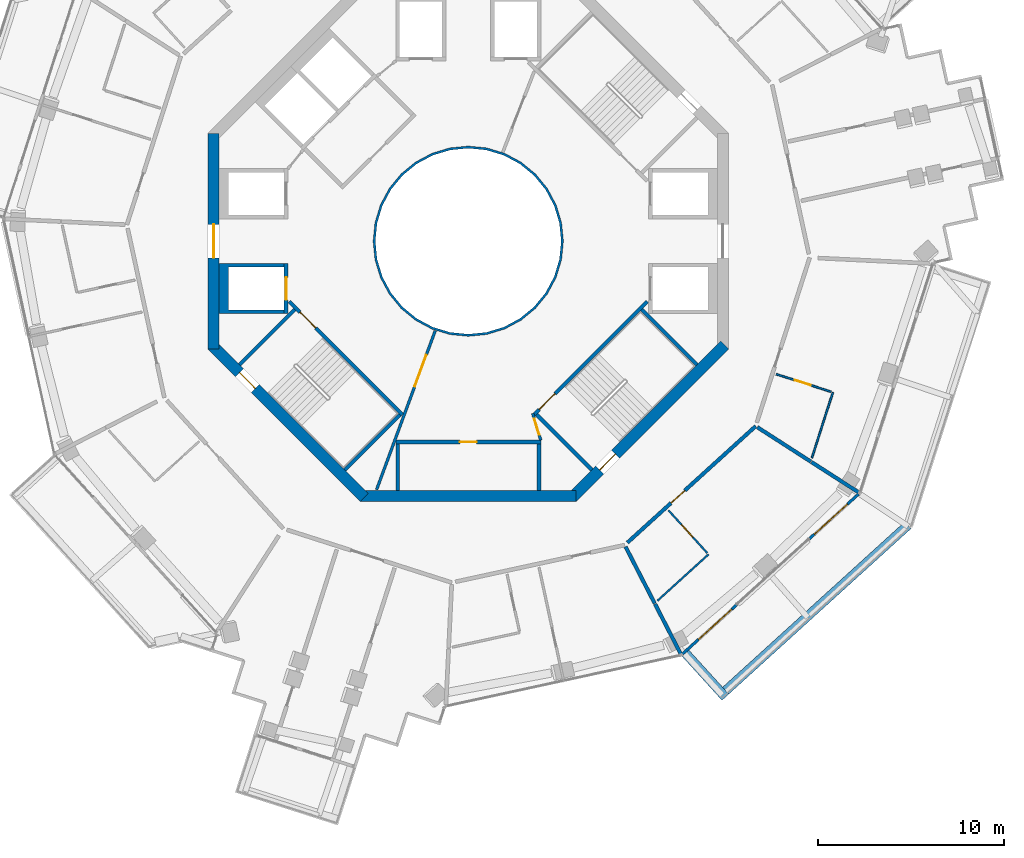
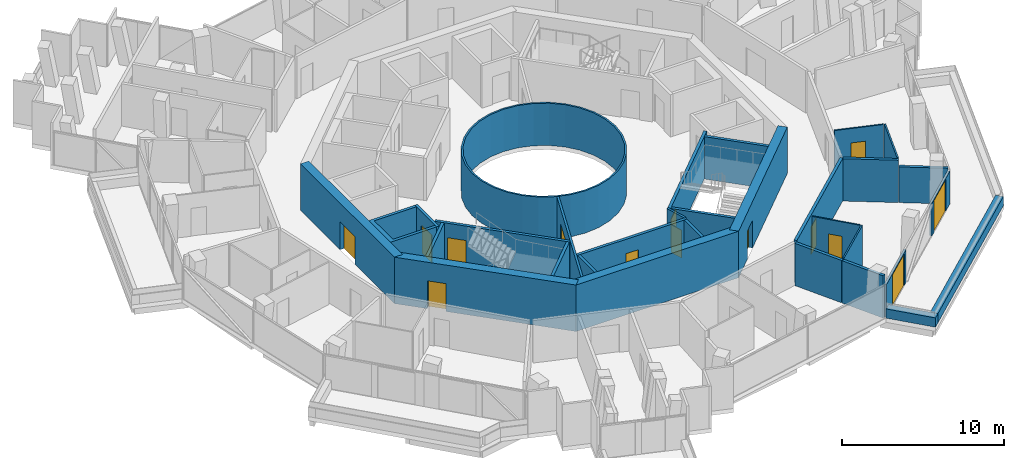
# One storey, part 16 of 23: 31 walls, 14 doors, 14 openings.
"""IFC4 building model written with IfcOpenShell, lengths in metres."""

from ifc_helpers import new_model, si_unit, direction, frame, frame_2d, origin, place, context, subcontext, project, spatial, polyline, rectangle, outline, extrude, material, layer, layer_set, type_object, element, fill, save


model = new_model("IFC4")

# Units and contexts
model_context = context("Model", 3, precision=1e-05, world=origin(), true_north=direction((0.0, 1.0)))
body_context = subcontext(model_context, "Body", "Model", "MODEL_VIEW")
ifc_project = project(units=[si_unit("LENGTHUNIT", "METRE"), si_unit("AREAUNIT", "SQUARE_METRE"), si_unit("VOLUMEUNIT", "CUBIC_METRE"), si_unit("PLANEANGLEUNIT", "RADIAN"), si_unit("MASSUNIT", "GRAM", prefix="KILO")], contexts=[model_context])

# Site, building, storey
site_placement = place(None, origin())
site = spatial("IfcSite", under=ifc_project, at=site_placement, CompositionType="ELEMENT")
building_placement = place(site_placement, origin())
building = spatial("IfcBuilding", under=site, at=building_placement, Name="Verdalira Terraces Hotel", CompositionType="ELEMENT")
storey_placement = place(building_placement, frame((0.0, 0.0, 205.5)))
storey = spatial("IfcBuildingStorey", under=building, at=storey_placement, Name="L50", CompositionType="ELEMENT", Elevation=205.5)

# Walls
ifc_material_1 = material(Name="Fire-resisting glass EI 180", Category="glass")
ifc_layer_1 = layer(ifc_material_1, 0.1201171875)
ifc_layer_set_1 = layer_set([ifc_layer_1], Name="Atrium fire screen 120 mm")
wall_type_1 = type_object("IfcWallType", Name="Atrium fire screen 120 mm", PredefinedType="SOLIDWALL", material=ifc_layer_set_1)
wall_1_placement = place(storey_placement, origin())
element("IfcWall", 1, at=wall_1_placement, inside=storey, type_object=wall_type_1, Name="Atrium fire screen", PredefinedType="SOLIDWALL", context=body_context, shape_type="SweptSolid", body=[
    extrude(outline(polyline([(5.021484, -0.998779), (4.730225, -1.959229), (4.25708, -2.844482), (3.620361, -3.620361), (2.844482, -4.25708), (1.959229, -4.730225), (0.998779, -5.021484), (0.0, -5.120117), (-0.998779, -5.021484), (-1.959229, -4.730225), (-2.844482, -4.25708), (-3.620361, -3.620361), (-4.25708, -2.844482), (-4.730225, -1.959229), (-5.021484, -0.998779), (-5.120117, 0.0), (-5.021484, 0.998779), (-4.730225, 1.959229), (-4.25708, 2.844482), (-3.620361, 3.620361), (-2.844482, 4.25708), (-1.959229, 4.730225), (-0.998779, 5.021484), (0.0, 5.120117), (0.998779, 5.021484), (1.959229, 4.730225), (2.844482, 4.25708), (3.620361, 3.620361), (4.25708, 2.844482), (4.730225, 1.959229), (5.021484, 0.998779), (5.120117, 0.0), (5.021484, -0.998779)]), holes=[polyline([(4.903809, 0.975586), (4.619385, 1.91333), (4.157227, 2.777832), (3.5354, 3.5354), (2.777832, 4.157227), (1.91333, 4.619385), (0.975586, 4.903809), (0.0, 5.0), (-0.975586, 4.903809), (-1.91333, 4.619385), (-2.777832, 4.157227), (-3.5354, 3.5354), (-4.157227, 2.777832), (-4.619385, 1.91333), (-4.903809, 0.975586), (-5.0, 0.0), (-4.903809, -0.975586), (-4.619385, -1.91333), (-4.157227, -2.777832), (-3.5354, -3.5354), (-2.777832, -4.157227), (-1.91333, -4.619385), (-0.975586, -4.903809), (0.0, -5.0), (0.975586, -4.903809), (1.91333, -4.619385), (2.777832, -4.157227), (3.5354, -3.5354), (4.157227, -2.777832), (4.619385, -1.91333), (4.903809, -0.975586), (5.0, 0.0), (4.903809, 0.975586)])]), origin(), (0.0, 0.0, 1.0), 3.189941),
])
ifc_material_2 = material(Name="Concrete C40", Category="concrete")
ifc_layer_2 = layer(ifc_material_2, 0.5)
ifc_layer_set_2 = layer_set([ifc_layer_2], Name="Balcony planter trough with tree")
wall_type_2 = type_object("IfcWallType", Name="Balcony planter trough with tree", PredefinedType="SOLIDWALL", material=ifc_layer_set_2)
wall_2_placement = place(storey_placement, frame((11.680908, -22.161621, 0.0), z_axis=(0.0, 0.0, 1.0), x_axis=(0.672289039, -0.74028876, 0.0)))
element("IfcWall", 2, at=wall_2_placement, inside=storey, type_object=wall_type_2, Name="Balcony planter", PredefinedType="SOLIDWALL", context=body_context, shape_type="SweptSolid", body=[
    extrude(rectangle(XDim=3.198975, YDim=0.5, at=frame_2d((1.599609, 0.0))), origin(), (0.0, 0.0, 1.0), 0.699951),
])
wall_3_placement = place(storey_placement, frame((13.848389, -24.176758, 0.0), z_axis=(0.0, 0.0, 1.0), x_axis=(0.740331756, 0.672241691, 0.0)))
element("IfcWall", 3, at=wall_3_placement, inside=storey, type_object=wall_type_2, Name="Balcony planter", PredefinedType="SOLIDWALL", context=body_context, shape_type="SweptSolid", body=[
    extrude(rectangle(XDim=13.223633, YDim=0.5, at=frame_2d((6.611816, 0.0))), origin(), (0.0, 0.0, 1.0), 0.699951),
])
ifc_material_3 = material(Name="Moisture-resistant gypsum board partition")
ifc_layer_3 = layer(ifc_material_3, 0.10009765625)
ifc_layer_set_3 = layer_set([ifc_layer_3], Name="Bathroom partition 100 mm")
wall_type_3 = type_object("IfcWallType", Name="Bathroom partition 100 mm", PredefinedType="PARTITIONING", material=ifc_layer_set_3)
wall_4_placement = place(storey_placement, frame((12.921631, -16.846191, 0.0), z_axis=(0.0, 0.0, 1.0), x_axis=(-0.740330652, -0.672242906, 0.0)))
element("IfcWall", 4, at=wall_4_placement, inside=storey, type_object=wall_type_3, Name="Bathroom partition", PredefinedType="PARTITIONING", context=body_context, shape_type="SweptSolid", body=[
    extrude(rectangle(XDim=3.704102, YDim=0.100098, at=frame_2d((1.852051, 0.0))), origin(), (0.0, 0.0, 1.0), 3.189941),
])

# Wall, opening, door
wall_5_placement = place(storey_placement, frame((12.854492, -16.772217, 0.0), z_axis=(0.0, 0.0, 1.0), x_axis=(-0.672265011, 0.74031058, 0.0)))
wall_5 = element("IfcWall", 5, at=wall_5_placement, inside=storey, type_object=wall_type_3, Name="Bathroom partition", PredefinedType="PARTITIONING", context=body_context, shape_type="SweptSolid", body=[
    extrude(rectangle(XDim=3.099854, YDim=0.100098, at=frame_2d((1.549805, 0.0))), origin(), (0.0, 0.0, 1.0), 3.189941),
])
opening_1_placement = place(wall_5_placement, frame((1.149902, 0.0, 0.0)))
opening_1 = element("IfcOpeningElement", 6, at=opening_1_placement, cuts=wall_5, Name="Opening L50-120", PredefinedType="OPENING", context=body_context, shape_type="SweptSolid", body=[
    extrude(rectangle(XDim=0.899902, YDim=2.100098, at=frame_2d((0.449951, 1.050049))), frame((0.0, 0.060059, 0.0), z_axis=(0.0, -1.0, 0.0), x_axis=(1.0, 0.0, 0.0)), (0.0, 0.0, 1.0), 0.120117),
])
ifc_material_4 = material(Name="Timber door", Category="wood")
door_type_1 = type_object("IfcDoorType", Name="Bathroom door 900 x 2100", OperationType="NOTDEFINED", PredefinedType="DOOR", material=ifc_material_4)
door_1_placement = place(opening_1_placement, origin())
door_1 = element("IfcDoor", 7, at=door_1_placement, inside=storey, type_object=door_type_1, Name="Bathroom door 5008", OperationType="SINGLE_SWING_LEFT", OverallHeight=2.10009765625, OverallWidth=0.89990234375, PredefinedType="DOOR", context=body_context, shape_type="SweptSolid", body=[
    extrude(rectangle(XDim=0.899902, YDim=2.100098, at=frame_2d((0.449951, 1.050049))), frame((0.0, 0.024902, 0.0), z_axis=(0.0, -1.0, 0.0), x_axis=(1.0, 0.0, 0.0)), (0.0, 0.0, 1.0), 0.050049),
])
fill(opening_1, door_1)

wall_6_placement = place(storey_placement, frame((19.518311, -8.0979, 0.0), z_axis=(0.0, 0.0, 1.0), x_axis=(-0.952342726, 0.305030051, 0.0)))
wall_6 = element("IfcWall", 8, at=wall_6_placement, inside=storey, type_object=wall_type_3, Name="Bathroom partition", PredefinedType="PARTITIONING", context=body_context, shape_type="SweptSolid", body=[
    extrude(rectangle(XDim=3.099854, YDim=0.100098, at=frame_2d((1.549805, 0.0))), origin(), (0.0, 0.0, 1.0), 3.189941),
])
opening_2_placement = place(wall_6_placement, frame((1.149902, 0.0, 0.0)))
opening_2 = element("IfcOpeningElement", 9, at=opening_2_placement, cuts=wall_6, Name="Opening L50-122", PredefinedType="OPENING", context=body_context, shape_type="SweptSolid", body=[
    extrude(rectangle(XDim=0.899902, YDim=2.100098, at=frame_2d((0.449951, 1.050049))), frame((0.0, 0.060059, 0.0), z_axis=(0.0, -1.0, 0.0), x_axis=(1.0, 0.0, 0.0)), (0.0, 0.0, 1.0), 0.120117),
])
door_2_placement = place(opening_2_placement, origin())
door_2 = element("IfcDoor", 10, at=door_2_placement, inside=storey, type_object=door_type_1, Name="Bathroom door 5009", OperationType="SINGLE_SWING_LEFT", OverallHeight=2.10009765625, OverallWidth=0.89990234375, PredefinedType="DOOR", context=body_context, shape_type="SweptSolid", body=[
    extrude(rectangle(XDim=0.899902, YDim=2.100098, at=frame_2d((0.449951, 1.050049))), frame((0.0, 0.024902, 0.0), z_axis=(0.0, -1.0, 0.0), x_axis=(1.0, 0.0, 0.0)), (0.0, 0.0, 1.0), 0.050049),
])
fill(opening_2, door_2)

# Walls
wall_7_placement = place(storey_placement, frame((19.613525, -8.128418, 0.0), z_axis=(0.0, 0.0, 1.0), x_axis=(-0.304974221, -0.952360606, 0.0)))
element("IfcWall", 11, at=wall_7_placement, inside=storey, type_object=wall_type_3, Name="Bathroom partition", PredefinedType="PARTITIONING", context=body_context, shape_type="SweptSolid", body=[
    extrude(rectangle(XDim=3.704102, YDim=0.100098, at=frame_2d((1.852051, 0.0))), origin(), (0.0, 0.0, 1.0), 3.189941),
])
ifc_material_5 = material(Name="Concrete C50", Category="concrete")
ifc_layer_4 = layer(ifc_material_5, 0.199951171875)
ifc_layer_set_4 = layer_set([ifc_layer_4], Name="Core RC wall 200 C50")
wall_type_4 = type_object("IfcWallType", Name="Core RC wall 200 C50", PredefinedType="SOLIDWALL", material=ifc_layer_set_4)
wall_8_placement = place(storey_placement, origin())
element("IfcWall", 12, at=wall_8_placement, inside=storey, type_object=wall_type_4, Name="L50 shaft wall W2", PredefinedType="SOLIDWALL", context=body_context, shape_type="SweptSolid", body=[
    extrude(outline(polyline([(-13.399902, -3.899902), (-13.399902, -1.199951), (-9.899902, -1.199951), (-9.899902, -1.399902), (-12.899902, -1.399902), (-12.899902, -3.699951), (-9.899902, -3.699951), (-9.899902, -3.899902), (-13.399902, -3.899902)])), origin(), (0.0, 0.0, 1.0), 3.189941),
])

# Wall, opening, door
wall_9_placement = place(storey_placement, frame((-9.800049, -1.199951, 0.0), z_axis=(0.0, 0.0, 1.0), x_axis=(0.0, -1.0, 0.0)))
wall_9 = element("IfcWall", 13, at=wall_9_placement, inside=storey, type_object=wall_type_4, Name="L50 shaft front wall W2", PredefinedType="SOLIDWALL", context=body_context, shape_type="SweptSolid", body=[
    extrude(rectangle(XDim=2.699951, YDim=0.199951, at=frame_2d((1.350098, 0.0))), origin(), (0.0, 0.0, 1.0), 3.189941),
])
opening_3_placement = place(wall_9_placement, frame((0.75, 0.0, 0.0)))
opening_3 = element("IfcOpeningElement", 14, at=opening_3_placement, cuts=wall_9, Name="Opening LD-L50-807", PredefinedType="OPENING", context=body_context, shape_type="SweptSolid", body=[
    extrude(rectangle(XDim=1.199951, YDim=2.100098, at=frame_2d((0.600098, 1.050049))), frame((0.0, 0.109863, 0.0), z_axis=(0.0, -1.0, 0.0), x_axis=(1.0, 0.0, 0.0)), (0.0, 0.0, 1.0), 0.219971),
])
ifc_material_6 = material(Name="Stainless steel", Category="steel")
door_type_2 = type_object("IfcDoorType", Name="Landing door 1200 x 2100", OperationType="NOTDEFINED", PredefinedType="DOOR", material=ifc_material_6)
door_3_placement = place(opening_3_placement, origin())
door_3 = element("IfcDoor", 15, at=door_3_placement, inside=storey, type_object=door_type_2, Name="Lift landing door HR6 L50", OperationType="DOUBLE_DOOR_SLIDING", OverallHeight=2.10009765625, OverallWidth=1.199951171875, PredefinedType="DOOR", context=body_context, shape_type="SweptSolid", body=[
    extrude(rectangle(XDim=1.199951, YDim=2.100098, at=frame_2d((0.600098, 1.050049))), frame((0.0, 0.024902, 0.0), z_axis=(0.0, -1.0, 0.0), x_axis=(1.0, 0.0, 0.0)), (0.0, 0.0, 1.0), 0.050049),
])
fill(opening_3, door_3)

wall_10_placement = place(storey_placement, frame((-3.899902, -10.800049, 0.0), z_axis=(0.0, 0.0, 1.0), x_axis=(1.0, 0.0, 0.0)))
wall_10 = element("IfcWall", 16, at=wall_10_placement, inside=storey, type_object=wall_type_4, Name="L50 store front wall", PredefinedType="SOLIDWALL", context=body_context, shape_type="SweptSolid", body=[
    extrude(rectangle(XDim=7.799805, YDim=0.199951, at=frame_2d((3.899902, 0.0))), origin(), (0.0, 0.0, 1.0), 3.189941),
])
opening_4_placement = place(wall_10_placement, frame((3.449951, 0.0, 0.0)))
opening_4 = element("IfcOpeningElement", 17, at=opening_4_placement, cuts=wall_10, Name="Opening L50-801", PredefinedType="OPENING", context=body_context, shape_type="SweptSolid", body=[
    extrude(rectangle(XDim=0.899902, YDim=2.100098, at=frame_2d((0.449951, 1.050049))), frame((0.0, 0.109863, 0.0), z_axis=(0.0, -1.0, 0.0), x_axis=(1.0, 0.0, 0.0)), (0.0, 0.0, 1.0), 0.219971),
])
ifc_material_7 = material(Name="Steel fire door", Category="steel")
door_type_3 = type_object("IfcDoorType", Name="Core room door 900 x 2100", OperationType="NOTDEFINED", PredefinedType="DOOR", material=ifc_material_7)
door_4_placement = place(opening_4_placement, origin())
door_4 = element("IfcDoor", 18, at=door_4_placement, inside=storey, type_object=door_type_3, Name="Store door L50 SS", OperationType="SINGLE_SWING_LEFT", OverallHeight=2.10009765625, OverallWidth=0.89990234375, PredefinedType="DOOR", context=body_context, shape_type="SweptSolid", body=[
    extrude(rectangle(XDim=0.899902, YDim=2.100098, at=frame_2d((0.449951, 1.050049))), frame((0.0, 0.024902, 0.0), z_axis=(0.0, -1.0, 0.0), x_axis=(1.0, 0.0, 0.0)), (0.0, 0.0, 1.0), 0.050049),
])
fill(opening_4, door_4)

# Walls
for number, where, z_axis, x_axis, name in (
    (19, (-3.800049, -10.899902, 0.0), (0.0, 0.0, 1.0), (0.0, -1.0, 0.0), "L50 store side wall"),
    (20, (3.800049, -10.899902, 0.0), (0.0, 0.0, 1.0), (0.0, -1.0, 0.0), "L50 store side wall"),
):
    element("IfcWall", number, at=place(storey_placement, frame(where, z_axis=z_axis, x_axis=x_axis)), inside=storey, type_object=wall_type_4, Name=name, PredefinedType="SOLIDWALL", context=body_context, shape_type="SweptSolid", body=[
        extrude(rectangle(XDim=2.5, YDim=0.199951, at=frame_2d((1.25, 0.0))), origin(), (0.0, 0.0, 1.0), 3.189941),
    ])

# Wall, opening, door
wall_11_placement = place(storey_placement, frame((-3.5354, -9.33374, 0.0), z_axis=(0.0, 0.0, 1.0), x_axis=(-0.707120946, 0.707092617, 0.0)))
wall_11 = element("IfcWall", 21, at=wall_11_placement, inside=storey, type_object=wall_type_4, Name="L50 stair ST2 front wall", PredefinedType="SOLIDWALL", context=body_context, shape_type="SweptSolid", body=[
    extrude(rectangle(XDim=8.61792, YDim=0.199951, at=frame_2d((4.309082, 0.0))), origin(), (0.0, 0.0, 1.0), 3.189941),
])
opening_5_placement = place(wall_11_placement, frame((6.600098, 0.0, 0.0)))
opening_5 = element("IfcOpeningElement", 22, at=opening_5_placement, cuts=wall_11, Name="Opening L50-811", PredefinedType="OPENING", context=body_context, shape_type="SweptSolid", body=[
    extrude(rectangle(XDim=1.199951, YDim=2.100098, at=frame_2d((0.600098, 1.050049))), frame((0.0, 0.109863, 0.0), z_axis=(0.0, -1.0, 0.0), x_axis=(1.0, 0.0, 0.0)), (0.0, 0.0, 1.0), 0.219971),
])
ifc_material_8 = material(Name="Steel fire door", Category="steel")
door_type_4 = type_object("IfcDoorType", Name="Stair door 1200 x 2100", OperationType="NOTDEFINED", PredefinedType="DOOR", material=ifc_material_8)
door_5_placement = place(opening_5_placement, origin())
door_5 = element("IfcDoor", 23, at=door_5_placement, inside=storey, type_object=door_type_4, Name="Stair door ST2 L50", OperationType="SINGLE_SWING_RIGHT", OverallHeight=2.10009765625, OverallWidth=1.199951171875, PredefinedType="DOOR", context=body_context, shape_type="SweptSolid", body=[
    extrude(rectangle(XDim=1.199951, YDim=2.100098, at=frame_2d((0.600098, 1.050049))), frame((0.0, 0.024902, 0.0), z_axis=(0.0, -1.0, 0.0), x_axis=(1.0, 0.0, 0.0)), (0.0, 0.0, 1.0), 0.050049),
])
fill(opening_5, door_5)

# Walls
for number, where, z_axis, x_axis, name in (
    (24, (-9.33374, -3.677002, 0.0), (0.0, 0.0, 1.0), (-0.707135845, -0.707077716, 0.0), "L50 stair ST2 end wall 1"),
    (25, (-3.677002, -9.33374, 0.0), (0.0, 0.0, 1.0), (-0.707077716, -0.707135845, 0.0), "L50 stair ST2 end wall 2"),
):
    element("IfcWall", number, at=place(storey_placement, frame(where, z_axis=z_axis, x_axis=x_axis)), inside=storey, type_object=wall_type_4, Name=name, PredefinedType="SOLIDWALL", context=body_context, shape_type="SweptSolid", body=[
        extrude(rectangle(XDim=4.199951, YDim=0.199951, at=frame_2d((2.100098, 0.0))), origin(), (0.0, 0.0, 1.0), 3.189941),
    ])

# Wall, opening, door
wall_12_placement = place(storey_placement, frame((9.629395, -3.23999, 0.0), z_axis=(0.0, 0.0, 1.0), x_axis=(-0.707120946, -0.707092617, 0.0)))
wall_12 = element("IfcWall", 26, at=wall_12_placement, inside=storey, type_object=wall_type_4, Name="L50 stair ST3 front wall", PredefinedType="SOLIDWALL", context=body_context, shape_type="SweptSolid", body=[
    extrude(rectangle(XDim=8.61792, YDim=0.199951, at=frame_2d((4.309082, 0.0))), origin(), (0.0, 0.0, 1.0), 3.189941),
])
opening_6_placement = place(wall_12_placement, frame((7.017822, 0.0, 0.0)))
opening_6 = element("IfcOpeningElement", 27, at=opening_6_placement, cuts=wall_12, Name="Opening L50-812", PredefinedType="OPENING", context=body_context, shape_type="SweptSolid", body=[
    extrude(rectangle(XDim=1.199951, YDim=2.100098, at=frame_2d((0.600098, 1.050049))), frame((0.0, 0.109863, 0.0), z_axis=(0.0, -1.0, 0.0), x_axis=(1.0, 0.0, 0.0)), (0.0, 0.0, 1.0), 0.219971),
])
door_6_placement = place(opening_6_placement, origin())
door_6 = element("IfcDoor", 28, at=door_6_placement, inside=storey, type_object=door_type_4, Name="Stair door ST3 L50", OperationType="SINGLE_SWING_RIGHT", OverallHeight=2.10009765625, OverallWidth=1.199951171875, PredefinedType="DOOR", context=body_context, shape_type="SweptSolid", body=[
    extrude(rectangle(XDim=1.199951, YDim=2.100098, at=frame_2d((0.600098, 1.050049))), frame((0.0, 0.024902, 0.0), z_axis=(0.0, -1.0, 0.0), x_axis=(1.0, 0.0, 0.0)), (0.0, 0.0, 1.0), 0.050049),
])
fill(opening_6, door_6)

# Walls
for number, where, z_axis, x_axis, name in (
    (29, (3.677002, -9.33374, 0.0), (0.0, 0.0, 1.0), (0.707077716, -0.707135845, 0.0), "L50 stair ST3 end wall 1"),
    (30, (9.33374, -3.677002, 0.0), (0.0, 0.0, 1.0), (0.707135845, -0.707077716, 0.0), "L50 stair ST3 end wall 2"),
):
    element("IfcWall", number, at=place(storey_placement, frame(where, z_axis=z_axis, x_axis=x_axis)), inside=storey, type_object=wall_type_4, Name=name, PredefinedType="SOLIDWALL", context=body_context, shape_type="SweptSolid", body=[
        extrude(rectangle(XDim=4.199951, YDim=0.199951, at=frame_2d((2.100098, 0.0))), origin(), (0.0, 0.0, 1.0), 3.189941),
    ])

# Wall, opening, door
ifc_material_9 = material(Name="Gypsum board partition")
ifc_layer_5 = layer(ifc_material_9, 0.14990234375)
ifc_layer_set_5 = layer_set([ifc_layer_5], Name="Core partition 150 mm")
wall_type_5 = type_object("IfcWallType", Name="Core partition 150 mm", PredefinedType="PARTITIONING", material=ifc_layer_set_5)
wall_13_placement = place(storey_placement, frame((3.899902, -10.699951, 0.0), z_axis=(0.0, 0.0, 1.0), x_axis=(-0.289808785, 0.957084567, 0.0)))
wall_13 = element("IfcWall", 31, at=wall_13_placement, inside=storey, type_object=wall_type_5, Name="Room partition L50", PredefinedType="PARTITIONING", context=body_context, shape_type="SweptSolid", body=[
    extrude(rectangle(XDim=1.501221, YDim=0.149902, at=frame_2d((0.750488, 0.0))), origin(), (0.0, 0.0, 1.0), 3.189941),
])
opening_7_placement = place(wall_13_placement, frame((0.300781, 0.0, 0.0)))
opening_7 = element("IfcOpeningElement", 32, at=opening_7_placement, cuts=wall_13, Name="Opening L50-822", PredefinedType="OPENING", context=body_context, shape_type="SweptSolid", body=[
    extrude(rectangle(XDim=0.899902, YDim=2.100098, at=frame_2d((0.449951, 1.050049))), frame((0.0, 0.084961, 0.0), z_axis=(0.0, -1.0, 0.0), x_axis=(1.0, 0.0, 0.0)), (0.0, 0.0, 1.0), 0.169922),
])
door_7_placement = place(opening_7_placement, origin())
door_7 = element("IfcDoor", 33, at=door_7_placement, inside=storey, type_object=door_type_3, Name="Door L50 room6", OperationType="SINGLE_SWING_LEFT", OverallHeight=2.10009765625, OverallWidth=0.89990234375, PredefinedType="DOOR", context=body_context, shape_type="SweptSolid", body=[
    extrude(rectangle(XDim=0.899902, YDim=2.100098, at=frame_2d((0.449951, 1.050049))), frame((0.0, 0.024902, 0.0), z_axis=(0.0, -1.0, 0.0), x_axis=(1.0, 0.0, 0.0)), (0.0, 0.0, 1.0), 0.050049),
])
fill(opening_7, door_7)

wall_14_placement = place(storey_placement, frame((-1.775635, -4.812988, 0.0), z_axis=(0.0, 0.0, 1.0), x_axis=(-0.346112108, -0.938193162, 0.0)))
wall_14 = element("IfcWall", 34, at=wall_14_placement, inside=storey, type_object=wall_type_5, Name="Gallery fire partition L50", PredefinedType="PARTITIONING", context=body_context, shape_type="SweptSolid", body=[
    extrude(rectangle(XDim=9.122803, YDim=0.149902, at=frame_2d((4.561523, 0.0))), origin(), (0.0, 0.0, 1.0), 3.189941),
])
opening_8_placement = place(wall_14_placement, frame((1.399902, 0.0, 0.0)))
opening_8 = element("IfcOpeningElement", 35, at=opening_8_placement, cuts=wall_14, Name="Opening L50-824", PredefinedType="OPENING", context=body_context, shape_type="SweptSolid", body=[
    extrude(rectangle(XDim=1.800049, YDim=2.100098, at=frame_2d((0.899902, 1.050049))), frame((0.0, 0.084961, 0.0), z_axis=(0.0, -1.0, 0.0), x_axis=(1.0, 0.0, 0.0)), (0.0, 0.0, 1.0), 0.169922),
])
ifc_material_10 = material(Name="Steel fire door", Category="steel")
door_type_5 = type_object("IfcDoorType", Name="Gallery fire door pair 1800 x 2100", OperationType="NOTDEFINED", PredefinedType="DOOR", material=ifc_material_10)
door_8_placement = place(opening_8_placement, origin())
door_8 = element("IfcDoor", 36, at=door_8_placement, inside=storey, type_object=door_type_5, Name="Door L50 split5", OperationType="DOUBLE_DOOR_SINGLE_SWING", OverallHeight=2.10009765625, OverallWidth=1.800048828125, PredefinedType="DOOR", context=body_context, shape_type="SweptSolid", body=[
    extrude(rectangle(XDim=1.800049, YDim=2.100098, at=frame_2d((0.899902, 1.050049))), frame((0.0, 0.024902, 0.0), z_axis=(0.0, -1.0, 0.0), x_axis=(1.0, 0.0, 0.0)), (0.0, 0.0, 1.0), 0.050049),
])
fill(opening_8, door_8)

ifc_material_11 = material(Name="Concrete C60", Category="concrete")
ifc_layer_6 = layer(ifc_material_11, 0.60009765625)
ifc_layer_set_6 = layer_set([ifc_layer_6], Name="Core wall 600 C60")
wall_type_6 = type_object("IfcWallType", Name="Core wall 600 C60", PredefinedType="SHEAR", material=ifc_layer_set_6)
wall_15_placement = place(storey_placement, frame((-13.699951, 5.799072, 0.0), z_axis=(0.0, 0.0, 1.0), x_axis=(0.0, -1.0, 0.0)))
wall_15 = element("IfcWall", 37, at=wall_15_placement, inside=storey, type_object=wall_type_6, Name="Core wall CW-L50-5", PredefinedType="SHEAR", context=body_context, shape_type="SweptSolid", body=[
    extrude(rectangle(XDim=11.598145, YDim=0.600098, at=frame_2d((5.799072, 0.0))), origin(), (0.0, 0.0, 1.0), 3.5),
])
opening_9_placement = place(wall_15_placement, frame((4.898926, 0.0, 0.0)))
opening_9 = element("IfcOpeningElement", 38, at=opening_9_placement, cuts=wall_15, Name="Opening L50-815", PredefinedType="OPENING", context=body_context, shape_type="SweptSolid", body=[
    extrude(rectangle(XDim=1.800049, YDim=2.100098, at=frame_2d((0.899902, 1.050049))), frame((0.0, 0.310059, 0.0), z_axis=(0.0, -1.0, 0.0), x_axis=(1.0, 0.0, 0.0)), (0.0, 0.0, 1.0), 0.620117),
])
ifc_material_12 = material(Name="Steel fire door", Category="steel")
door_type_6 = type_object("IfcDoorType", Name="Core entry door pair 1800 x 2100", OperationType="NOTDEFINED", PredefinedType="DOOR", material=ifc_material_12)
door_9_placement = place(opening_9_placement, origin())
door_9 = element("IfcDoor", 39, at=door_9_placement, inside=storey, type_object=door_type_6, Name="Core entry door L50 4", OperationType="DOUBLE_DOOR_SINGLE_SWING", OverallHeight=2.10009765625, OverallWidth=1.800048828125, PredefinedType="DOOR", context=body_context, shape_type="SweptSolid", body=[
    extrude(rectangle(XDim=1.800049, YDim=2.100098, at=frame_2d((0.899902, 1.050049))), frame((0.0, 0.024902, 0.0), z_axis=(0.0, -1.0, 0.0), x_axis=(1.0, 0.0, 0.0)), (0.0, 0.0, 1.0), 0.050049),
])
fill(opening_9, door_9)

wall_16_placement = place(storey_placement, frame((-13.787842, -5.586914, 0.0), z_axis=(0.0, 0.0, 1.0), x_axis=(0.707106781, -0.707106781, 0.0)))
wall_16 = element("IfcWall", 40, at=wall_16_placement, inside=storey, type_object=wall_type_6, Name="Core wall CW-L50-6", PredefinedType="SHEAR", context=body_context, shape_type="SweptSolid", body=[
    extrude(rectangle(XDim=11.5979, YDim=0.600098, at=frame_2d((5.798828, 0.0))), origin(), (0.0, 0.0, 1.0), 3.5),
])
opening_10_placement = place(wall_16_placement, frame((2.099121, 0.0, 0.0)))
opening_10 = element("IfcOpeningElement", 41, at=opening_10_placement, cuts=wall_16, Name="Opening L50-817", PredefinedType="OPENING", context=body_context, shape_type="SweptSolid", body=[
    extrude(rectangle(XDim=1.199951, YDim=2.100098, at=frame_2d((0.600098, 1.050049))), frame((0.0, 0.310059, 0.0), z_axis=(0.0, -1.0, 0.0), x_axis=(1.0, 0.0, 0.0)), (0.0, 0.0, 1.0), 0.620117),
])
door_10_placement = place(opening_10_placement, origin())
door_10 = element("IfcDoor", 42, at=door_10_placement, inside=storey, type_object=door_type_4, Name="Stair exit door ST2 L50", OperationType="SINGLE_SWING_LEFT", OverallHeight=2.10009765625, OverallWidth=1.199951171875, PredefinedType="DOOR", context=body_context, shape_type="SweptSolid", body=[
    extrude(rectangle(XDim=1.199951, YDim=2.100098, at=frame_2d((0.600098, 1.050049))), frame((0.0, 0.024902, 0.0), z_axis=(0.0, -1.0, 0.0), x_axis=(1.0, 0.0, 0.0)), (0.0, 0.0, 1.0), 0.050049),
])
fill(opening_10, door_10)

# Wall
wall_17_placement = place(storey_placement, frame((-5.799072, -13.699951, 0.0), z_axis=(0.0, 0.0, 1.0), x_axis=(1.0, 0.0, 0.0)))
element("IfcWall", 43, at=wall_17_placement, inside=storey, type_object=wall_type_6, Name="Core wall CW-L50-7", PredefinedType="SHEAR", context=body_context, shape_type="SweptSolid", body=[
    extrude(rectangle(XDim=11.598145, YDim=0.600098, at=frame_2d((5.799072, 0.0))), origin(), (0.0, 0.0, 1.0), 3.5),
])

# Wall, opening, door
wall_18_placement = place(storey_placement, frame((5.586914, -13.787842, 0.0), z_axis=(0.0, 0.0, 1.0), x_axis=(0.707106781, 0.707106781, 0.0)))
wall_18 = element("IfcWall", 44, at=wall_18_placement, inside=storey, type_object=wall_type_6, Name="Core wall CW-L50-8", PredefinedType="SHEAR", context=body_context, shape_type="SweptSolid", body=[
    extrude(rectangle(XDim=11.5979, YDim=0.600098, at=frame_2d((5.798828, 0.0))), origin(), (0.0, 0.0, 1.0), 3.5),
])
opening_11_placement = place(wall_18_placement, frame((2.099121, 0.0, 0.0)))
opening_11 = element("IfcOpeningElement", 45, at=opening_11_placement, cuts=wall_18, Name="Opening L50-818", PredefinedType="OPENING", context=body_context, shape_type="SweptSolid", body=[
    extrude(rectangle(XDim=1.199951, YDim=2.100098, at=frame_2d((0.600098, 1.050049))), frame((0.0, 0.310059, 0.0), z_axis=(0.0, -1.0, 0.0), x_axis=(1.0, 0.0, 0.0)), (0.0, 0.0, 1.0), 0.620117),
])
door_11_placement = place(opening_11_placement, origin())
door_11 = element("IfcDoor", 46, at=door_11_placement, inside=storey, type_object=door_type_4, Name="Stair exit door ST3 L50", OperationType="SINGLE_SWING_LEFT", OverallHeight=2.10009765625, OverallWidth=1.199951171875, PredefinedType="DOOR", context=body_context, shape_type="SweptSolid", body=[
    extrude(rectangle(XDim=1.199951, YDim=2.100098, at=frame_2d((0.600098, 1.050049))), frame((0.0, 0.024902, 0.0), z_axis=(0.0, -1.0, 0.0), x_axis=(1.0, 0.0, 0.0)), (0.0, 0.0, 1.0), 0.050049),
])
fill(opening_11, door_11)

# Walls
ifc_material_13 = material(Name="Fire-rated gypsum board wall")
ifc_layer_7 = layer(ifc_material_13, 0.199951171875)
ifc_layer_set_7 = layer_set([ifc_layer_7], Name="Demising wall 200 mm")
wall_type_7 = type_object("IfcWallType", Name="Demising wall 200 mm", PredefinedType="SOLIDWALL", material=ifc_layer_set_7)
wall_19_placement = place(storey_placement, frame((8.462402, -16.437988, 0.0), z_axis=(0.0, 0.0, 1.0), x_axis=(0.45772397, -0.889094352, 0.0)))
element("IfcWall", 47, at=wall_19_placement, inside=storey, type_object=wall_type_7, Name="Demising wall", PredefinedType="SOLIDWALL", context=body_context, shape_type="SweptSolid", body=[
    extrude(rectangle(XDim=3.418457, YDim=0.199951, at=frame_2d((1.709229, 0.0))), origin(), (0.0, 0.0, 1.0), 3.189941),
])
wall_20_placement = place(storey_placement, frame((10.048096, -19.518066, 0.0), z_axis=(0.0, 0.0, 1.0), x_axis=(0.457721659, -0.889095542, 0.0)))
element("IfcWall", 48, at=wall_20_placement, inside=storey, type_object=wall_type_7, Name="Demising wall", PredefinedType="SOLIDWALL", context=body_context, shape_type="SweptSolid", body=[
    extrude(rectangle(XDim=3.011475, YDim=0.199951, at=frame_2d((1.505859, 0.0))), origin(), (0.0, 0.0, 1.0), 3.189941),
])
wall_21_placement = place(storey_placement, frame((15.547607, -10.004395, 0.0), z_axis=(0.0, 0.0, 1.0), x_axis=(0.84093939, -0.541129321, 0.0)))
element("IfcWall", 49, at=wall_21_placement, inside=storey, type_object=wall_type_7, Name="Demising wall", PredefinedType="SOLIDWALL", context=body_context, shape_type="SweptSolid", body=[
    extrude(rectangle(XDim=3.418457, YDim=0.199951, at=frame_2d((1.709229, 0.0))), origin(), (0.0, 0.0, 1.0), 3.189941),
])
ifc_material_14 = material(Name="Fire-rated gypsum board wall")
ifc_layer_8 = layer(ifc_material_14, 0.199951171875)
ifc_layer_set_8 = layer_set([ifc_layer_8], Name="Demising wall 200 mm to beam soffit")
wall_type_8 = type_object("IfcWallType", Name="Demising wall 200 mm to beam soffit", PredefinedType="SOLIDWALL", material=ifc_layer_set_8)
wall_22_placement = place(storey_placement, frame((18.460938, -11.878906, 0.0), z_axis=(0.0, 0.0, 1.0), x_axis=(0.840933425, -0.541138592, 0.0)))
element("IfcWall", 50, at=wall_22_placement, inside=storey, type_object=wall_type_8, Name="Demising wall", PredefinedType="SOLIDWALL", context=body_context, shape_type="SweptSolid", body=[
    extrude(rectangle(XDim=3.011475, YDim=0.199951, at=frame_2d((1.505859, 0.0))), origin(), (0.0, 0.0, 1.0), 2.689941),
])

# Wall, opening, door
ifc_material_15 = material(Name="Fire-rated gypsum board wall")
ifc_layer_9 = layer(ifc_material_15, 0.199951171875)
ifc_layer_set_9 = layer_set([ifc_layer_9], Name="Guest corridor wall 200 mm")
wall_type_9 = type_object("IfcWallType", Name="Guest corridor wall 200 mm", PredefinedType="SOLIDWALL", material=ifc_layer_set_9)
wall_23_placement = place(storey_placement, frame((15.460449, -9.948486, 0.0), z_axis=(0.0, 0.0, 1.0), x_axis=(-0.740327695, -0.672246163, 0.0)))
wall_23 = element("IfcWall", 51, at=wall_23_placement, inside=storey, type_object=wall_type_9, Name="Guest corridor wall", PredefinedType="SOLIDWALL", context=body_context, shape_type="SweptSolid", body=[
    extrude(rectangle(XDim=9.316406, YDim=0.199951, at=frame_2d((4.658203, 0.0))), origin(), (0.0, 0.0, 1.0), 3.189941),
])
opening_12_placement = place(wall_23_placement, frame((5.149902, 0.0, 0.0)))
opening_12 = element("IfcOpeningElement", 52, at=opening_12_placement, cuts=wall_23, Name="Opening L50-119", PredefinedType="OPENING", context=body_context, shape_type="SweptSolid", body=[
    extrude(rectangle(XDim=1.0, YDim=2.100098, at=frame_2d((0.5, 1.050049))), frame((0.0, 0.109863, 0.0), z_axis=(0.0, -1.0, 0.0), x_axis=(1.0, 0.0, 0.0)), (0.0, 0.0, 1.0), 0.219971),
])
ifc_material_16 = material(Name="Timber fire door", Category="wood")
door_type_7 = type_object("IfcDoorType", Name="Guest entry door 1000 x 2100", OperationType="NOTDEFINED", PredefinedType="DOOR", material=ifc_material_16)
door_12_placement = place(opening_12_placement, origin())
door_12 = element("IfcDoor", 53, at=door_12_placement, inside=storey, type_object=door_type_7, Name="Guest entry door 5008", OperationType="SINGLE_SWING_LEFT", OverallHeight=2.10009765625, OverallWidth=1.0, PredefinedType="DOOR", context=body_context, shape_type="SweptSolid", body=[
    extrude(rectangle(XDim=1.0, YDim=2.100098, at=frame_2d((0.5, 1.050049))), frame((0.0, 0.024902, 0.0), z_axis=(0.0, -1.0, 0.0), x_axis=(1.0, 0.0, 0.0)), (0.0, 0.0, 1.0), 0.050049),
])
fill(opening_12, door_12)

ifc_material_17 = material(Name="Terracotta cladding", Category="masonry")
ifc_layer_10 = layer(ifc_material_17, 0.14990234375)
ifc_layer_set_10 = layer_set([ifc_layer_10], Name="Terracotta door pier 150")
wall_type_10 = type_object("IfcWallType", Name="Terracotta door pier 150", PredefinedType="SOLIDWALL", material=ifc_layer_set_10)
wall_24_placement = place(storey_placement, frame((11.519043, -22.206055, 0.0), z_axis=(0.0, 0.0, 1.0), x_axis=(0.74031866, 0.672256113, 0.0)))
wall_24 = element("IfcWall", 54, at=wall_24_placement, inside=storey, type_object=wall_type_10, Name="Terracotta door pier", PredefinedType="SOLIDWALL", context=body_context, shape_type="SweptSolid", body=[
    extrude(rectangle(XDim=3.967285, YDim=0.149902, at=frame_2d((1.983643, 0.0))), origin(), (0.0, 0.0, 1.0), 2.475098),
])
opening_13_placement = place(wall_24_placement, frame((1.167236, 0.0, 0.0)))
opening_13 = element("IfcOpeningElement", 55, at=opening_13_placement, cuts=wall_24, Name="Opening L50-B06", PredefinedType="OPENING", context=body_context, shape_type="SweptSolid", body=[
    extrude(rectangle(XDim=2.399902, YDim=2.399902, at=frame_2d((1.199951, 1.199951))), frame((0.0, 0.084961, 0.0), z_axis=(0.0, -1.0, 0.0), x_axis=(1.0, 0.0, 0.0)), (0.0, 0.0, 1.0), 0.169922),
])
ifc_material_18 = material(Name="Clear glass", Category="glass")
door_type_8 = type_object("IfcDoorType", Name="Balcony sliding door 2400x2400", OperationType="NOTDEFINED", PredefinedType="DOOR", material=ifc_material_18)
door_13_placement = place(opening_13_placement, origin())
door_13 = element("IfcDoor", 56, at=door_13_placement, inside=storey, type_object=door_type_8, Name="Balcony sliding door", OperationType="SLIDING_TO_LEFT", OverallHeight=2.39990234375, OverallWidth=2.39990234375, PredefinedType="DOOR", context=body_context, shape_type="SweptSolid", body=[
    extrude(rectangle(XDim=2.399902, YDim=2.399902, at=frame_2d((1.199951, 1.199951))), frame((0.0, 0.024902, 0.0), z_axis=(0.0, -1.0, 0.0), x_axis=(1.0, 0.0, 0.0)), (0.0, 0.0, 1.0), 0.050049),
])
fill(opening_13, door_13)

wall_25_placement = place(storey_placement, frame((18.323242, -16.027588, 0.0), z_axis=(0.0, 0.0, 1.0), x_axis=(0.740316483, 0.672258511, 0.0)))
wall_25 = element("IfcWall", 57, at=wall_25_placement, inside=storey, type_object=wall_type_10, Name="Terracotta door pier", PredefinedType="SOLIDWALL", context=body_context, shape_type="SweptSolid", body=[
    extrude(rectangle(XDim=3.608887, YDim=0.149902, at=frame_2d((1.804443, 0.0))), origin(), (0.0, 0.0, 1.0), 2.475098),
])
opening_14_placement = place(wall_25_placement, frame((0.399902, 0.0, 0.0)))
opening_14 = element("IfcOpeningElement", 58, at=opening_14_placement, cuts=wall_25, Name="Opening L50-B07", PredefinedType="OPENING", context=body_context, shape_type="SweptSolid", body=[
    extrude(rectangle(XDim=2.399902, YDim=2.399902, at=frame_2d((1.199951, 1.199951))), frame((0.0, 0.084961, 0.0), z_axis=(0.0, -1.0, 0.0), x_axis=(1.0, 0.0, 0.0)), (0.0, 0.0, 1.0), 0.169922),
])
door_14_placement = place(opening_14_placement, origin())
door_14 = element("IfcDoor", 59, at=door_14_placement, inside=storey, type_object=door_type_8, Name="Balcony sliding door", OperationType="SLIDING_TO_RIGHT", OverallHeight=2.39990234375, OverallWidth=2.39990234375, PredefinedType="DOOR", context=body_context, shape_type="SweptSolid", body=[
    extrude(rectangle(XDim=2.399902, YDim=2.399902, at=frame_2d((1.199951, 1.199951))), frame((0.0, 0.024902, 0.0), z_axis=(0.0, -1.0, 0.0), x_axis=(1.0, 0.0, 0.0)), (0.0, 0.0, 1.0), 0.050049),
])
fill(opening_14, door_14)

save(model, "model.ifc")
